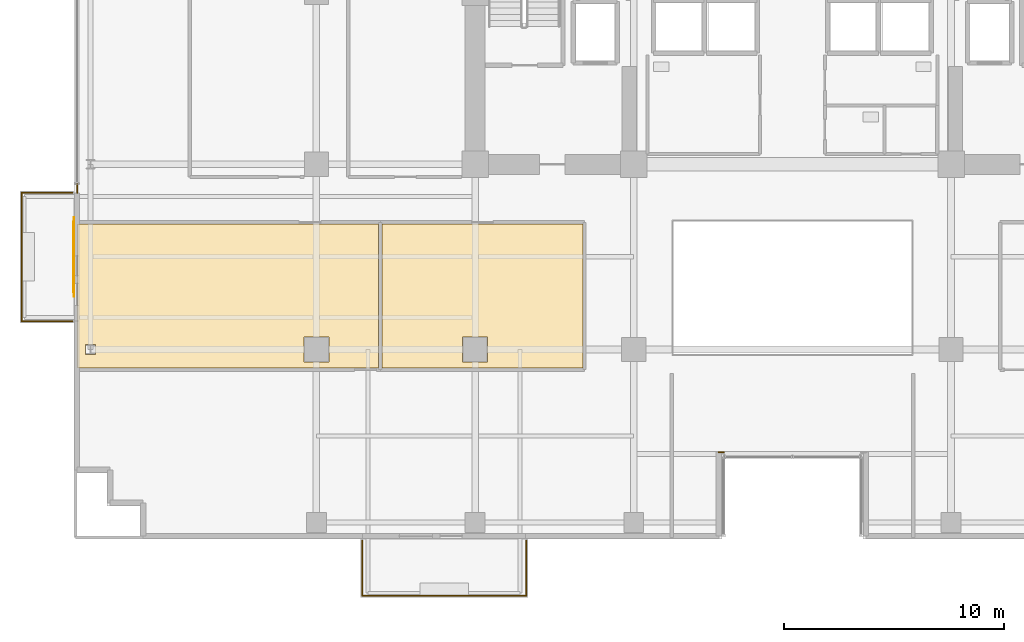
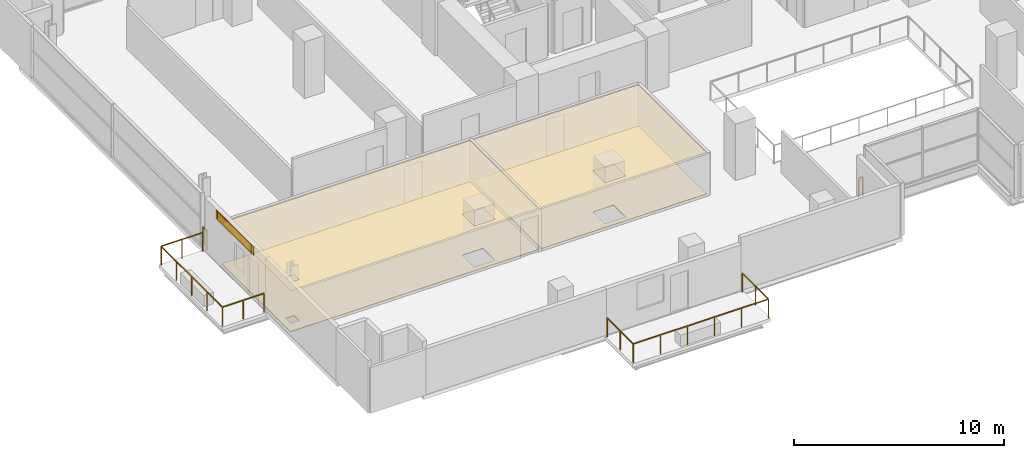
# One storey, part 27 of 30: 5 coverings, 4 railings, 1 shading device.
"""IFC4 building model written with IfcOpenShell, lengths in metres."""

from ifc_helpers import new_model, si_unit, direction, frame, origin, origin_2d, place, context, subcontext, project, spatial, polyline, rectangle, outline, extrude, source, transform, mapped, material, layer, layer_set, type_object, element, save


model = new_model("IFC4")

# Units and contexts
model_context = context("Model", 3, precision=1e-05, world=origin(), true_north=direction((0.0, 1.0)))
body_context = subcontext(model_context, "Body", "Model", "MODEL_VIEW")
ifc_project = project(units=[si_unit("LENGTHUNIT", "METRE"), si_unit("AREAUNIT", "SQUARE_METRE"), si_unit("VOLUMEUNIT", "CUBIC_METRE"), si_unit("PLANEANGLEUNIT", "RADIAN"), si_unit("MASSUNIT", "GRAM", prefix="KILO")], contexts=[model_context])

# Site, building, storey
site_placement = place(None, origin())
site = spatial("IfcSite", under=ifc_project, at=site_placement, CompositionType="ELEMENT")
building_placement = place(site_placement, origin())
building = spatial("IfcBuilding", under=site, at=building_placement, Name="Zarnakvel Exchange Tower", CompositionType="ELEMENT")
storey_placement = place(building_placement, frame((0.0, 0.0, 34.0)))
storey = spatial("IfcBuildingStorey", under=building, at=storey_placement, Name="L08", CompositionType="ELEMENT", Elevation=34.0)

# Coverings
ifc_material_1 = material(Name="Perforated Bronze Acoustic Metal Ceiling", Category="aluminium")
ifc_layer_1 = layer(ifc_material_1, 0.02001953125)
ifc_layer_set_1 = layer_set([ifc_layer_1], Name="Perforated Bronze Acoustic Metal Ceiling")
covering_type_1 = type_object("IfcCoveringType", Name="CLG-01", PredefinedType="CEILING", material=ifc_layer_set_1)
covering_1_placement = place(storey_placement, frame((0.0, 0.0, 2.405029296875)))
element("IfcCovering", 1, at=covering_1_placement, inside=storey, type_object=covering_type_1, Name="L08 Suspended Acoustic Ceiling (Institutional Dealing Room)", PredefinedType="CEILING", context=body_context, shape_type="SweptSolid", body=[
    extrude(outline(polyline([(-32.449951171875, -3.909912109375), (-18.781982421875, -3.909912109375), (-18.781982421875, -10.43994140625), (-32.449951171875, -10.43994140625), (-32.449951171875, -3.909912109375)]), holes=[polyline([(-21.030029296875, -10.169921875), (-21.030029296875, -9.030029296875), (-22.169921875, -9.030029296875), (-22.169921875, -10.169921875), (-21.030029296875, -10.169921875)]), polyline([(-32.075927734375, -9.83251953125), (-31.6240234375, -9.83251953125), (-31.6240234375, -9.367431640625), (-32.075927734375, -9.367431640625), (-32.075927734375, -9.83251953125)])]), origin(), (0.0, 0.0, 1.0), 0.02001953125),
])
covering_2_placement = place(storey_placement, frame((0.0, 0.0, 2.405029296875)))
element("IfcCovering", 2, at=covering_2_placement, inside=storey, type_object=covering_type_1, Name="L08 Suspended Acoustic Ceiling (Clearing Office)", PredefinedType="CEILING", context=body_context, shape_type="SweptSolid", body=[
    extrude(outline(polyline([(-18.6220703125, -3.909912109375), (-9.510009765625, -3.909912109375), (-9.510009765625, -10.43994140625), (-18.6220703125, -10.43994140625), (-18.6220703125, -3.909912109375)]), holes=[polyline([(-13.830078125, -10.169921875), (-13.830078125, -9.030029296875), (-14.969970703125, -9.030029296875), (-14.969970703125, -10.169921875), (-13.830078125, -10.169921875)])]), origin(), (0.0, 0.0, 1.0), 0.02001953125),
])
ifc_material_2 = material(Name="Heavy-Duty Raised Access Floor Panel", Category="steel")
ifc_layer_2 = layer(ifc_material_2, 0.034912109375)
ifc_layer_set_2 = layer_set([ifc_layer_2], Name="Heavy-Duty Raised Access Floor Panel")
covering_type_2 = type_object("IfcCoveringType", Name="FLR-02", PredefinedType="FLOORING", material=ifc_layer_set_2)
covering_3_placement = place(storey_placement, origin())
element("IfcCovering", 3, at=covering_3_placement, inside=storey, type_object=covering_type_2, Name="L08 Floor Finish (Institutional Dealing Room)", PredefinedType="FLOORING", context=body_context, shape_type="SweptSolid", body=[
    extrude(outline(polyline([(-32.449951171875, -3.909912109375), (-18.781982421875, -3.909912109375), (-18.781982421875, -10.43994140625), (-32.449951171875, -10.43994140625), (-32.449951171875, -3.909912109375)]), holes=[polyline([(-21.030029296875, -10.169921875), (-21.030029296875, -9.030029296875), (-22.169921875, -9.030029296875), (-22.169921875, -10.169921875), (-21.030029296875, -10.169921875)]), polyline([(-32.075927734375, -9.83251953125), (-31.6240234375, -9.83251953125), (-31.6240234375, -9.367431640625), (-32.075927734375, -9.367431640625), (-32.075927734375, -9.83251953125)])]), origin(), (0.0, 0.0, 1.0), 0.034912109375),
])
covering_4_placement = place(storey_placement, origin())
element("IfcCovering", 4, at=covering_4_placement, inside=storey, type_object=covering_type_2, Name="L08 Floor Finish (Clearing Office)", PredefinedType="FLOORING", context=body_context, shape_type="SweptSolid", body=[
    extrude(outline(polyline([(-18.6220703125, -3.909912109375), (-9.510009765625, -3.909912109375), (-9.510009765625, -10.43994140625), (-18.6220703125, -10.43994140625), (-18.6220703125, -3.909912109375)]), holes=[polyline([(-13.830078125, -10.169921875), (-13.830078125, -9.030029296875), (-14.969970703125, -9.030029296875), (-14.969970703125, -10.169921875), (-13.830078125, -10.169921875)])]), origin(), (0.0, 0.0, 1.0), 0.034912109375),
])

# Railings
ifc_material_3 = material(Name="Architectural Bronze Anodised Aluminium", Category="aluminium")
railing_type = type_object("IfcRailingType", Name="GR-02", PredefinedType="GUARDRAIL", material=ifc_material_3)
railing_1_placement = place(storey_placement, frame((-19.52001953125, -18.280029296875, -0.034912109375)))
element("IfcRailing", 5, at=railing_1_placement, inside=storey, type_object=railing_type, Name="L08 Balcony Guardrail BAL-L08-SW", PredefinedType="GUARDRAIL", context=body_context, shape_type="SweptSolid", body=[
    extrude(rectangle(XDim=0.048095703125, YDim=0.048095703125, at=origin_2d()), frame((0.0, 0.0, 1.09619140625), z_axis=(0.0, -1.0, 0.0), x_axis=(1.0, 0.0, 0.0)), (0.0, 0.0, 1.0), 2.489990234375),
    extrude(rectangle(XDim=0.048095703125, YDim=0.048095703125, at=origin_2d()), frame((0.0, -2.489990234375, 1.09619140625), z_axis=(1.0, 0.0, 0.0), x_axis=(0.0, 1.0, 0.0)), (0.0, 0.0, 1.0), 7.43994140625),
    extrude(rectangle(XDim=0.048095703125, YDim=0.048095703125, at=origin_2d()), frame((7.43994140625, -2.489990234375, 1.09619140625), z_axis=(0.0, 1.0, 0.0), x_axis=(-1.0, 0.0, 0.0)), (0.0, 0.0, 1.0), 2.489990234375),
    extrude(rectangle(XDim=0.0419921875, YDim=0.0419921875, at=origin_2d()), origin(), (0.0, 0.0, 1.0), 1.072021484375),
    extrude(rectangle(XDim=0.0419921875, YDim=0.0419921875, at=origin_2d()), frame((0.0, -1.2451171875, 0.0)), (0.0, 0.0, 1.0), 1.072021484375),
    extrude(rectangle(XDim=0.0419921875, YDim=0.0419921875, at=origin_2d()), frame((0.0, -2.489990234375, 0.0)), (0.0, 0.0, 1.0), 1.072021484375),
    extrude(rectangle(XDim=0.0419921875, YDim=0.0419921875, at=origin_2d()), frame((1.488037109375, -2.489990234375, 0.0)), (0.0, 0.0, 1.0), 1.072021484375),
    extrude(rectangle(XDim=0.0419921875, YDim=0.0419921875, at=origin_2d()), frame((2.97607421875, -2.489990234375, 0.0)), (0.0, 0.0, 1.0), 1.072021484375),
    extrude(rectangle(XDim=0.0419921875, YDim=0.0419921875, at=origin_2d()), frame((4.4638671875, -2.489990234375, 0.0)), (0.0, 0.0, 1.0), 1.072021484375),
    extrude(rectangle(XDim=0.0419921875, YDim=0.0419921875, at=origin_2d()), frame((5.951904296875, -2.489990234375, 0.0)), (0.0, 0.0, 1.0), 1.072021484375),
    extrude(rectangle(XDim=0.0419921875, YDim=0.0419921875, at=origin_2d()), frame((7.43994140625, -2.489990234375, 0.0)), (0.0, 0.0, 1.0), 1.072021484375),
    extrude(rectangle(XDim=0.0419921875, YDim=0.0419921875, at=origin_2d()), frame((7.43994140625, -1.2451171875, 0.0)), (0.0, 0.0, 1.0), 1.072021484375),
    extrude(rectangle(XDim=0.0419921875, YDim=0.0419921875, at=origin_2d()), frame((7.43994140625, 0.0, 0.0)), (0.0, 0.0, 1.0), 1.072021484375),
])
railing_2_placement = place(storey_placement, frame((-32.679931640625, -8.320068359375, -0.034912109375)))
element("IfcRailing", 6, at=railing_2_placement, inside=storey, type_object=railing_type, Name="L08 Balcony Guardrail BAL-L08-W", PredefinedType="GUARDRAIL", context=body_context, shape_type="SweptSolid", body=[
    extrude(rectangle(XDim=0.048095703125, YDim=0.048095703125, at=origin_2d()), frame((0.0, 0.0, 1.09619140625), z_axis=(-1.0, 0.0, 0.0), x_axis=(0.0, -1.0, 0.0)), (0.0, 0.0, 1.0), 2.2900390625),
    extrude(rectangle(XDim=0.048095703125, YDim=0.048095703125, at=origin_2d()), frame((-2.2900390625, 0.0, 1.09619140625), z_axis=(0.0, 1.0, 0.0), x_axis=(-1.0, 0.0, 0.0)), (0.0, 0.0, 1.0), 5.840087890625),
    extrude(rectangle(XDim=0.048095703125, YDim=0.048095703125, at=origin_2d()), frame((-2.2900390625, 5.840087890625, 1.09619140625), z_axis=(1.0, 0.0, 0.0), x_axis=(0.0, 1.0, 0.0)), (0.0, 0.0, 1.0), 2.2900390625),
    extrude(rectangle(XDim=0.0419921875, YDim=0.0419921875, at=origin_2d()), origin(), (0.0, 0.0, 1.0), 1.072021484375),
    extrude(rectangle(XDim=0.0419921875, YDim=0.0419921875, at=origin_2d()), frame((-1.14501953125, 0.0, 0.0)), (0.0, 0.0, 1.0), 1.072021484375),
    extrude(rectangle(XDim=0.0419921875, YDim=0.0419921875, at=origin_2d()), frame((-2.2900390625, 0.0, 0.0)), (0.0, 0.0, 1.0), 1.072021484375),
    extrude(rectangle(XDim=0.0419921875, YDim=0.0419921875, at=origin_2d()), frame((-2.2900390625, 1.4599609375, 0.0)), (0.0, 0.0, 1.0), 1.072021484375),
    extrude(rectangle(XDim=0.0419921875, YDim=0.0419921875, at=origin_2d()), frame((-2.2900390625, 2.919921875, 0.0)), (0.0, 0.0, 1.0), 1.072021484375),
    extrude(rectangle(XDim=0.0419921875, YDim=0.0419921875, at=origin_2d()), frame((-2.2900390625, 4.380126953125, 0.0)), (0.0, 0.0, 1.0), 1.072021484375),
    extrude(rectangle(XDim=0.0419921875, YDim=0.0419921875, at=origin_2d()), frame((-2.2900390625, 5.840087890625, 0.0)), (0.0, 0.0, 1.0), 1.072021484375),
    extrude(rectangle(XDim=0.0419921875, YDim=0.0419921875, at=origin_2d()), frame((-1.14501953125, 5.840087890625, 0.0)), (0.0, 0.0, 1.0), 1.072021484375),
    extrude(rectangle(XDim=0.0419921875, YDim=0.0419921875, at=origin_2d()), frame((0.0, 5.840087890625, 0.0)), (0.0, 0.0, 1.0), 1.072021484375),
])
railing_3_placement = place(storey_placement, frame((-32.4599609375, -2.5, 0.0)))
element("IfcRailing", 7, at=railing_3_placement, inside=storey, type_object=railing_type, Name="L08 Corner Spandrel Balustrade #2", PredefinedType="GUARDRAIL", context=body_context, shape_type="SweptSolid", body=[
    extrude(rectangle(XDim=0.048095703125, YDim=0.048095703125, at=origin_2d()), frame((0.0, 0.0, 1.09619140625), z_axis=(0.0, 1.0, 0.0), x_axis=(-1.0, 0.0, 0.0)), (0.0, 0.0, 1.0), 0.39990234375),
    extrude(rectangle(XDim=0.0419921875, YDim=0.0419921875, at=origin_2d()), origin(), (0.0, 0.0, 1.0), 1.072021484375),
    extrude(rectangle(XDim=0.0419921875, YDim=0.0419921875, at=origin_2d()), frame((0.0, 0.39990234375, 0.0)), (0.0, 0.0, 1.0), 1.072021484375),
])
railing_4_placement = place(storey_placement, frame((-3.1201171875, -14.260009765625, 0.0)))
element("IfcRailing", 8, at=railing_4_placement, inside=storey, type_object=railing_type, Name="L08 Corner Spandrel Balustrade #19", PredefinedType="GUARDRAIL", context=body_context, shape_type="SweptSolid", body=[
    extrude(rectangle(XDim=0.048095703125, YDim=0.048095703125, at=origin_2d()), frame((0.0, 0.0, 1.09619140625), z_axis=(-1.0, 0.0, 0.0), x_axis=(0.0, -1.0, 0.0)), (0.0, 0.0, 1.0), 0.219970703125),
    extrude(rectangle(XDim=0.0419921875, YDim=0.0419921875, at=origin_2d()), origin(), (0.0, 0.0, 1.0), 1.072021484375),
    extrude(rectangle(XDim=0.0419921875, YDim=0.0419921875, at=origin_2d()), frame((-0.219970703125, 0.0, 0.0)), (0.0, 0.0, 1.0), 1.072021484375),
])

# Shading device
ifc_material_4 = material(Name="Perforated Architectural Bronze Screen", Category="aluminium")
ifc_layer_3 = layer(ifc_material_4, 0.044921875)
ifc_layer_set_3 = layer_set([ifc_layer_3], Name="Perforated Architectural Bronze Screen")
shading_device_type = type_object("IfcShadingDeviceType", Name="SS-01", PredefinedType="JALOUSIE", material=ifc_layer_set_3)
shared_shape_1 = source(origin(), body_context, "Body", "SweptSolid", [
    extrude(rectangle(XDim=3.199951171875, YDim=0.044921875, at=origin_2d()), origin(), (0.0, 0.0, 1.0), 0.4951171875),
])
shading_device_placement = place(storey_placement, frame((-32.6005859375, -5.39990234375, 2.56005859375), z_axis=(0.0, 0.0, 1.0), x_axis=(0.0, 1.0, 0.0)))
element("IfcShadingDevice", 9, at=shading_device_placement, inside=storey, type_object=shading_device_type, Name="L08 Bronze Solar Shading Screen SS-01", PredefinedType="JALOUSIE", context=body_context, shape_type="MappedRepresentation", body=[
    mapped(shared_shape_1, transform((0.0, 0.0, 0.0), x_axis=(1.0, 0.0, 0.0), y_axis=(0.0, 1.0, 0.0), z_axis=(0.0, 0.0, 1.0), scale=1.0)),
])

# Covering
ifc_material_5 = material(Name="Glazed Turquoise Ceramic Architectural Tile", Category="ceramic")
ifc_layer_4 = layer(ifc_material_5, 0.028076171875)
ifc_layer_set_4 = layer_set([ifc_layer_4], Name="Glazed Turquoise Ceramic Architectural Tile")
covering_type_3 = type_object("IfcCoveringType", Name="CL-01", PredefinedType="CLADDING", material=ifc_layer_set_4)
shared_shape_2 = source(origin(), body_context, "Body", "SweptSolid", [
    extrude(rectangle(XDim=3.60009765625, YDim=0.028076171875, at=origin_2d()), origin(), (0.0, 0.0, 1.0), 0.4951171875),
])
covering_5_placement = place(storey_placement, frame((-32.592041015625, -5.39990234375, 2.56005859375), z_axis=(0.0, 0.0, 1.0), x_axis=(0.0, 1.0, 0.0)))
element("IfcCovering", 10, at=covering_5_placement, inside=storey, type_object=covering_type_3, Name="L08 Ceramic Spandrel Tilework CL-01", PredefinedType="CLADDING", context=body_context, shape_type="MappedRepresentation", body=[
    mapped(shared_shape_2, transform((0.0, 0.0, 0.0), x_axis=(1.0, 0.0, 0.0), y_axis=(0.0, 1.0, 0.0), z_axis=(0.0, 0.0, 1.0), scale=1.0)),
])

save(model, "model.ifc")
